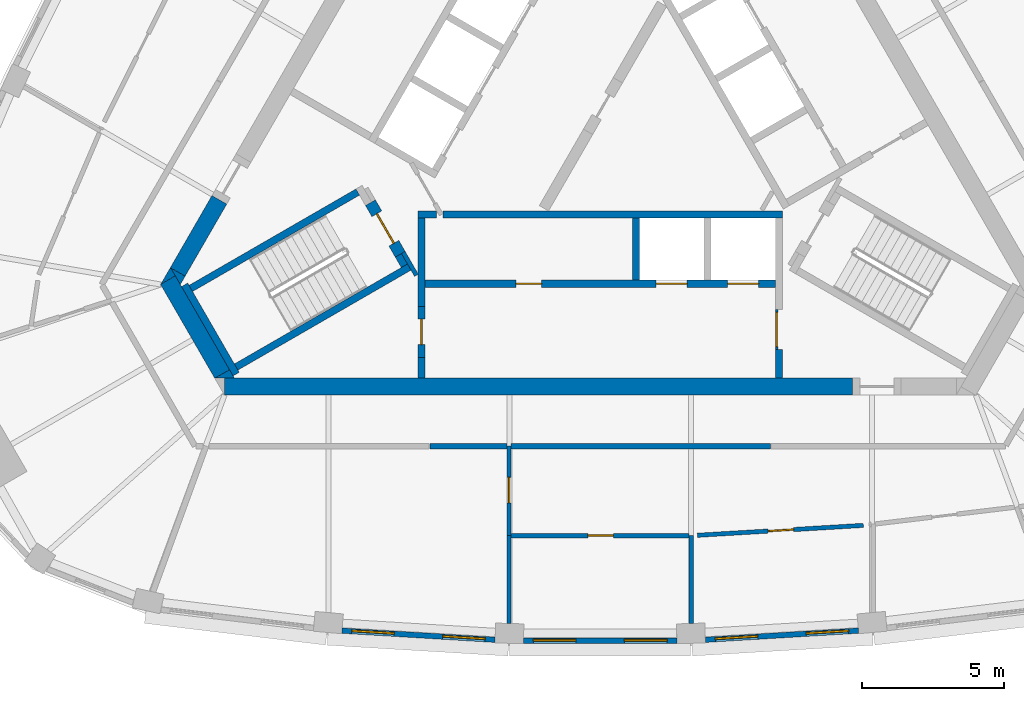
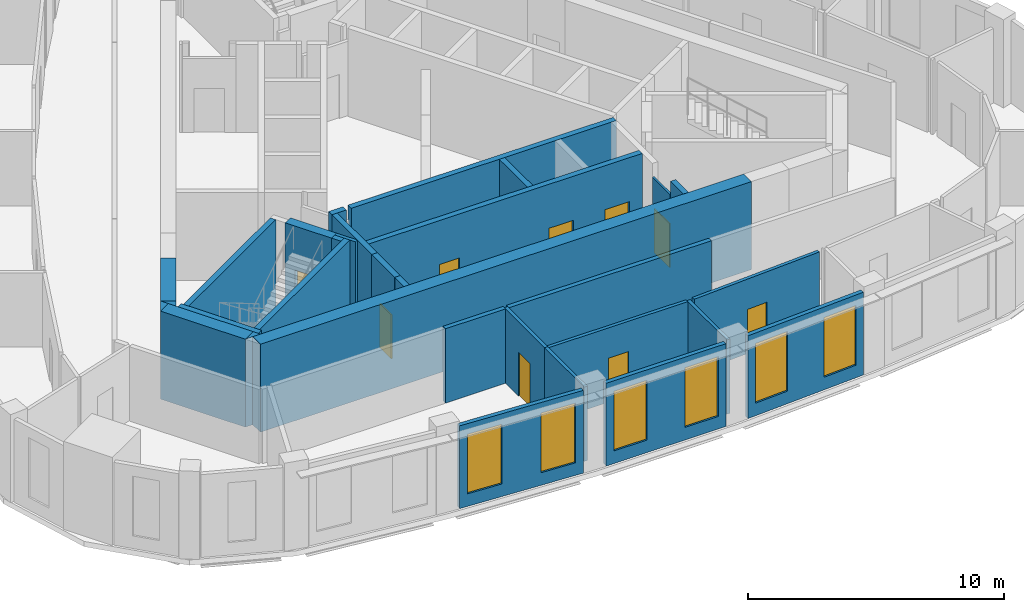
# One storey, part 3 of 10: 31 walls, 9 doors, 6 windows, 15 openings.
"""IFC4 building model written with IfcOpenShell, lengths in metres."""

from ifc_helpers import new_model, si_unit, direction, frame, frame_2d, origin, place, context, subcontext, project, spatial, polyline, rectangle, outline, extrude, material, layer, layer_set, type_object, element, fill, save


model = new_model("IFC4")

# Units and contexts
model_context = context("Model", 3, precision=1e-05, world=origin(), true_north=direction((0.0, 1.0)))
body_context = subcontext(model_context, "Body", "Model", "MODEL_VIEW")
ifc_project = project(units=[si_unit("LENGTHUNIT", "METRE"), si_unit("AREAUNIT", "SQUARE_METRE"), si_unit("VOLUMEUNIT", "CUBIC_METRE"), si_unit("PLANEANGLEUNIT", "RADIAN"), si_unit("MASSUNIT", "GRAM", prefix="KILO")], contexts=[model_context])

# Site, building, storey
site_placement = place(None, origin())
site = spatial("IfcSite", under=ifc_project, at=site_placement, CompositionType="ELEMENT")
building_placement = place(site_placement, origin())
building = spatial("IfcBuilding", under=site, at=building_placement, Name="Mestral Congress Tower", CompositionType="ELEMENT")
storey_placement = place(building_placement, frame((0.0, 0.0, 267.0)))
storey = spatial("IfcBuildingStorey", under=building, at=storey_placement, Name="L62", CompositionType="ELEMENT", Elevation=267.0)

# Wall, opening, door
ifc_material_1 = material(Name="Fire-rated board partition")
ifc_layer_1 = layer(ifc_material_1, 0.090087890625)
ifc_layer_set_1 = layer_set([ifc_layer_1], Name="Fire-rated board partition")
wall_type_1 = type_object("IfcWallType", Name="Core partition 150 door-wall 90", PredefinedType="PARTITIONING", material=ifc_layer_set_1)
wall_1_placement = place(storey_placement, frame((6.219970703125, -7.23681640625, 0.0), z_axis=(0.0, 0.0, 1.0), x_axis=(0.0, -1.0, 0.0)))
wall_1 = element("IfcWall", 1, at=wall_1_placement, inside=storey, type_object=wall_type_1, Name="L62 door wall", PredefinedType="PARTITIONING", context=body_context, shape_type="SweptSolid", body=[
    extrude(rectangle(XDim=1.400146484375, YDim=0.090087890625, at=frame_2d((0.7001953125, 0.0))), origin(), (0.0, 0.0, 1.0), 3.550048828125),
])
opening_1_placement = place(wall_1_placement, frame((0.10009765625, 0.0, 0.0)))
opening_1 = element("IfcOpeningElement", 2, at=opening_1_placement, cuts=wall_1, Name="Opening LB0-WL1", PredefinedType="OPENING", context=body_context, shape_type="SweptSolid", body=[
    extrude(rectangle(XDim=1.199951171875, YDim=2.10009765625, at=frame_2d((0.60009765625, 1.050048828125))), frame((0.0, 0.054931640625, 0.0), z_axis=(0.0, -1.0, 0.0), x_axis=(1.0, 0.0, 0.0)), (0.0, 0.0, 1.0), 0.110107421875),
])
ifc_material_2 = material(Name="Fire-rated steel door set", Category="steel")
door_type_1 = type_object("IfcDoorType", Name="Core door LB 1200x2100", OperationType="SINGLE_SWING_LEFT", PredefinedType="DOOR", material=ifc_material_2)
door_1_placement = place(opening_1_placement, origin())
door_1 = element("IfcDoor", 3, at=door_1_placement, inside=storey, type_object=door_type_1, Name="Door LB0-WL1", OperationType="SINGLE_SWING_LEFT", OverallHeight=2.10009765625, OverallWidth=1.199951171875, PredefinedType="DOOR", context=body_context, shape_type="SweptSolid", body=[
    extrude(rectangle(XDim=1.199951171875, YDim=2.10009765625, at=frame_2d((0.60009765625, 1.050048828125))), frame((0.0, 0.02490234375, 0.0), z_axis=(0.0, -1.0, 0.0), x_axis=(1.0, 0.0, 0.0)), (0.0, 0.0, 1.0), 0.050048828125),
])
fill(opening_1, door_1)

# Walls
ifc_material_3 = material(Name="Concrete C60/75", Category="concrete")
ifc_layer_2 = layer(ifc_material_3, 0.60009765625)
ifc_layer_set_2 = layer_set([ifc_layer_2], Name="Concrete C60/75")
wall_type_2 = type_object("IfcWallType", Name="Core wall RC 600", PredefinedType="SOLIDWALL", material=ifc_layer_set_2)
wall_2_placement = place(storey_placement, frame((8.904296875, -9.949951171875, 0.0), z_axis=(0.0, 0.0, 1.0), x_axis=(-1.0, 0.0, 0.0)))
element("IfcWall", 4, at=wall_2_placement, inside=storey, type_object=wall_type_2, Name="L62 core wall", PredefinedType="SOLIDWALL", context=body_context, shape_type="SweptSolid", body=[
    extrude(rectangle(XDim=22.160888671875, YDim=0.60009765625, at=frame_2d((11.08056640625, 0.0))), origin(), (0.0, 0.0, 1.0), 4.199951171875),
])
wall_3_placement = place(storey_placement, frame((-13.33349609375, -9.505615234375, 0.0), z_axis=(0.0, 0.0, 1.0), x_axis=(-0.500019073792, 0.866014391245, 0.0)))
element("IfcWall", 5, at=wall_3_placement, inside=storey, type_object=wall_type_2, Name="L62 core wall", PredefinedType="SOLIDWALL", context=body_context, shape_type="SweptSolid", body=[
    extrude(rectangle(XDim=3.823486328125, YDim=0.60009765625, at=frame_2d((1.91162109375, 0.0))), origin(), (0.0, 0.0, 1.0), 4.199951171875),
])
placement = place(storey_placement, origin())
element("IfcWall", 6, at=placement, inside=storey, type_object=wall_type_2, Name="L62 core wall", PredefinedType="SOLIDWALL", context=body_context, shape_type="SweptSolid", body=[
    extrude(outline(polyline([(-14.986572265625, -6.042724609375), (-15.493408203125, -6.33544921875), (-15.155517578125, -5.75), (-14.986572265625, -6.042724609375)])), origin(), (0.0, 0.0, 1.0), 4.199951171875),
])
element("IfcWall", 7, at=placement, inside=storey, type_object=wall_type_2, Name="L62 core wall", PredefinedType="SOLIDWALL", context=body_context, shape_type="SweptSolid", body=[
    extrude(outline(polyline([(-12.90380859375, -9.64990234375), (-13.579833984375, -9.64990234375), (-13.07275390625, -9.357421875), (-12.90380859375, -9.64990234375)])), origin(), (0.0, 0.0, 1.0), 4.199951171875),
])
wall_6_placement = place(storey_placement, frame((-13.431640625, -3.3642578125, 0.0), z_axis=(0.0, 0.0, 1.0), x_axis=(-0.499960127962, -0.866048422692, 0.0)))
element("IfcWall", 8, at=wall_6_placement, inside=storey, type_object=wall_type_2, Name="L62 core wall", PredefinedType="SOLIDWALL", context=body_context, shape_type="SweptSolid", body=[
    extrude(rectangle(XDim=2.934326171875, YDim=0.60009765625, at=frame_2d((1.46728515625, 0.0))), origin(), (0.0, 0.0, 1.0), 4.199951171875),
])
element("IfcWall", 9, at=placement, inside=storey, type_object=wall_type_2, Name="L62 core wall", PredefinedType="SOLIDWALL", context=body_context, shape_type="SweptSolid", body=[
    extrude(outline(polyline([(-14.80908203125, -6.35009765625), (-15.147216796875, -5.764404296875), (-14.639892578125, -6.057373046875), (-14.80908203125, -6.35009765625)])), origin(), (0.0, 0.0, 1.0), 4.199951171875),
])

# Wall, openings, windows
ifc_material_4 = material(Name="Precast concrete C40/50 with limestone facing", Category="masonry")
ifc_layer_3 = layer(ifc_material_4, 0.18994140625)
ifc_layer_set_3 = layer_set([ifc_layer_3], Name="Precast concrete C40/50 with limestone facing")
wall_type_3 = type_object("IfcWallType", Name="Facade stone wall 190", PredefinedType="SOLIDWALL", material=ifc_layer_set_3)
wall_8_placement = place(storey_placement, frame((-9.106689453125, -18.557861328125, 0.0), z_axis=(0.0, 0.0, 1.0), x_axis=(0.998221492823, -0.059614186786, 0.0)))
wall_8 = element("IfcWall", 10, at=wall_8_placement, inside=storey, type_object=wall_type_3, Name="Facade wall F0-01", PredefinedType="SOLIDWALL", context=body_context, shape_type="SweptSolid", body=[
    extrude(rectangle(XDim=5.40576171875, YDim=0.18994140625, at=frame_2d((2.702880859375, 0.0))), origin(), (0.0, 0.0, 1.0), 3.949951171875),
])
opening_2_placement = place(wall_8_placement, frame((0.346435546875, 0.0, 0.60009765625)))
opening_2 = element("IfcOpeningElement", 11, at=opening_2_placement, cuts=wall_8, Name="Opening W6", PredefinedType="OPENING", context=body_context, shape_type="SweptSolid", body=[
    extrude(rectangle(XDim=1.5, YDim=2.85009765625, at=frame_2d((0.75, 1.425048828125))), frame((0.0, 0.10498046875, 0.0), z_axis=(0.0, -1.0, 0.0), x_axis=(1.0, 0.0, 0.0)), (0.0, 0.0, 1.0), 0.2099609375),
])
opening_3_placement = place(wall_8_placement, frame((3.559326171875, 0.0, 0.60009765625)))
opening_3 = element("IfcOpeningElement", 12, at=opening_3_placement, cuts=wall_8, Name="Opening W6", PredefinedType="OPENING", context=body_context, shape_type="SweptSolid", body=[
    extrude(rectangle(XDim=1.5, YDim=2.85009765625, at=frame_2d((0.75, 1.425048828125))), frame((0.0, 0.10498046875, 0.0), z_axis=(0.0, -1.0, 0.0), x_axis=(1.0, 0.0, 0.0)), (0.0, 0.0, 1.0), 0.2099609375),
])
ifc_material_5 = material(Name="Clear low-emissivity double glazing", Category="glass")
window_type = type_object("IfcWindowType", Name="Facade punched window 1500 x 2850 sill 600", PartitioningType="SINGLE_PANEL", PredefinedType="WINDOW", material=ifc_material_5)
window_1_placement = place(opening_2_placement, origin())
window_1 = element("IfcWindow", 13, at=window_1_placement, inside=storey, type_object=window_type, Name="Window F0-01a", OverallHeight=2.85009765625, OverallWidth=1.5, PartitioningType="SINGLE_PANEL", PredefinedType="WINDOW", context=body_context, shape_type="SweptSolid", body=[
    extrude(rectangle(XDim=1.5, YDim=2.85009765625, at=frame_2d((0.75, 1.425048828125))), frame((0.0, 0.044921875, 0.0), z_axis=(0.0, -1.0, 0.0), x_axis=(1.0, 0.0, 0.0)), (0.0, 0.0, 1.0), 0.06005859375),
])
fill(opening_2, window_1)
window_2_placement = place(opening_3_placement, origin())
window_2 = element("IfcWindow", 14, at=window_2_placement, inside=storey, type_object=window_type, Name="Window F0-01b", OverallHeight=2.85009765625, OverallWidth=1.5, PartitioningType="SINGLE_PANEL", PredefinedType="WINDOW", context=body_context, shape_type="SweptSolid", body=[
    extrude(rectangle(XDim=1.5, YDim=2.85009765625, at=frame_2d((0.75, 1.425048828125))), frame((0.0, 0.044921875, 0.0), z_axis=(0.0, -1.0, 0.0), x_axis=(1.0, 0.0, 0.0)), (0.0, 0.0, 1.0), 0.06005859375),
])
fill(opening_3, window_2)

wall_9_placement = place(storey_placement, frame((-2.702880859375, -18.91015625, 0.0), z_axis=(0.0, 0.0, 1.0), x_axis=(1.0, 0.0, 0.0)))
wall_9 = element("IfcWall", 15, at=wall_9_placement, inside=storey, type_object=wall_type_3, Name="Facade wall F0-02", PredefinedType="SOLIDWALL", context=body_context, shape_type="SweptSolid", body=[
    extrude(rectangle(XDim=5.40576171875, YDim=0.18994140625, at=frame_2d((2.702880859375, 0.0))), origin(), (0.0, 0.0, 1.0), 3.949951171875),
])
opening_4_placement = place(wall_9_placement, frame((0.346435546875, 0.0, 0.60009765625)))
opening_4 = element("IfcOpeningElement", 16, at=opening_4_placement, cuts=wall_9, Name="Opening W6", PredefinedType="OPENING", context=body_context, shape_type="SweptSolid", body=[
    extrude(rectangle(XDim=1.5, YDim=2.85009765625, at=frame_2d((0.75, 1.425048828125))), frame((0.0, 0.10498046875, 0.0), z_axis=(0.0, -1.0, 0.0), x_axis=(1.0, 0.0, 0.0)), (0.0, 0.0, 1.0), 0.2099609375),
])
opening_5_placement = place(wall_9_placement, frame((3.5595703125, 0.0, 0.60009765625)))
opening_5 = element("IfcOpeningElement", 17, at=opening_5_placement, cuts=wall_9, Name="Opening W6", PredefinedType="OPENING", context=body_context, shape_type="SweptSolid", body=[
    extrude(rectangle(XDim=1.5, YDim=2.85009765625, at=frame_2d((0.75, 1.425048828125))), frame((0.0, 0.10498046875, 0.0), z_axis=(0.0, -1.0, 0.0), x_axis=(1.0, 0.0, 0.0)), (0.0, 0.0, 1.0), 0.2099609375),
])
window_3_placement = place(opening_4_placement, origin())
window_3 = element("IfcWindow", 18, at=window_3_placement, inside=storey, type_object=window_type, Name="Window F0-02a", OverallHeight=2.85009765625, OverallWidth=1.5, PartitioningType="SINGLE_PANEL", PredefinedType="WINDOW", context=body_context, shape_type="SweptSolid", body=[
    extrude(rectangle(XDim=1.5, YDim=2.85009765625, at=frame_2d((0.75, 1.425048828125))), frame((0.0, 0.044921875, 0.0), z_axis=(0.0, -1.0, 0.0), x_axis=(1.0, 0.0, 0.0)), (0.0, 0.0, 1.0), 0.06005859375),
])
fill(opening_4, window_3)
window_4_placement = place(opening_5_placement, origin())
window_4 = element("IfcWindow", 19, at=window_4_placement, inside=storey, type_object=window_type, Name="Window F0-02b", OverallHeight=2.85009765625, OverallWidth=1.5, PartitioningType="SINGLE_PANEL", PredefinedType="WINDOW", context=body_context, shape_type="SweptSolid", body=[
    extrude(rectangle(XDim=1.5, YDim=2.85009765625, at=frame_2d((0.75, 1.425048828125))), frame((0.0, 0.044921875, 0.0), z_axis=(0.0, -1.0, 0.0), x_axis=(1.0, 0.0, 0.0)), (0.0, 0.0, 1.0), 0.06005859375),
])
fill(opening_5, window_4)

wall_10_placement = place(storey_placement, frame((3.71044921875, -18.880126953125, 0.0), z_axis=(0.0, 0.0, 1.0), x_axis=(0.998221492823, 0.059614186786, 0.0)))
wall_10 = element("IfcWall", 20, at=wall_10_placement, inside=storey, type_object=wall_type_3, Name="Facade wall F0-03", PredefinedType="SOLIDWALL", context=body_context, shape_type="SweptSolid", body=[
    extrude(rectangle(XDim=5.40576171875, YDim=0.18994140625, at=frame_2d((2.702880859375, 0.0))), origin(), (0.0, 0.0, 1.0), 3.949951171875),
])
opening_6_placement = place(wall_10_placement, frame((0.346435546875, 0.0, 0.60009765625)))
opening_6 = element("IfcOpeningElement", 21, at=opening_6_placement, cuts=wall_10, Name="Opening W6", PredefinedType="OPENING", context=body_context, shape_type="SweptSolid", body=[
    extrude(rectangle(XDim=1.5, YDim=2.85009765625, at=frame_2d((0.75, 1.425048828125))), frame((0.0, 0.10498046875, 0.0), z_axis=(0.0, -1.0, 0.0), x_axis=(1.0, 0.0, 0.0)), (0.0, 0.0, 1.0), 0.2099609375),
])
opening_7_placement = place(wall_10_placement, frame((3.559326171875, 0.0, 0.60009765625)))
opening_7 = element("IfcOpeningElement", 22, at=opening_7_placement, cuts=wall_10, Name="Opening W6", PredefinedType="OPENING", context=body_context, shape_type="SweptSolid", body=[
    extrude(rectangle(XDim=1.5, YDim=2.85009765625, at=frame_2d((0.75, 1.425048828125))), frame((0.0, 0.10498046875, 0.0), z_axis=(0.0, -1.0, 0.0), x_axis=(1.0, 0.0, 0.0)), (0.0, 0.0, 1.0), 0.2099609375),
])
window_5_placement = place(opening_6_placement, origin())
window_5 = element("IfcWindow", 23, at=window_5_placement, inside=storey, type_object=window_type, Name="Window F0-03a", OverallHeight=2.85009765625, OverallWidth=1.5, PartitioningType="SINGLE_PANEL", PredefinedType="WINDOW", context=body_context, shape_type="SweptSolid", body=[
    extrude(rectangle(XDim=1.5, YDim=2.85009765625, at=frame_2d((0.75, 1.425048828125))), frame((0.0, 0.044921875, 0.0), z_axis=(0.0, -1.0, 0.0), x_axis=(1.0, 0.0, 0.0)), (0.0, 0.0, 1.0), 0.06005859375),
])
fill(opening_6, window_5)
window_6_placement = place(opening_7_placement, origin())
window_6 = element("IfcWindow", 24, at=window_6_placement, inside=storey, type_object=window_type, Name="Window F0-03b", OverallHeight=2.85009765625, OverallWidth=1.5, PartitioningType="SINGLE_PANEL", PredefinedType="WINDOW", context=body_context, shape_type="SweptSolid", body=[
    extrude(rectangle(XDim=1.5, YDim=2.85009765625, at=frame_2d((0.75, 1.425048828125))), frame((0.0, 0.044921875, 0.0), z_axis=(0.0, -1.0, 0.0), x_axis=(1.0, 0.0, 0.0)), (0.0, 0.0, 1.0), 0.06005859375),
])
fill(opening_7, window_6)

# Wall
ifc_material_6 = material(Name="Plasterboard partition on steel studs", Category="steel")
ifc_layer_4 = layer(ifc_material_6, 0.14990234375)
ifc_layer_set_4 = layer_set([ifc_layer_4], Name="Plasterboard partition on steel studs")
wall_type_4 = type_object("IfcWallType", Name="Office partition 150", PredefinedType="PARTITIONING", material=ifc_layer_set_4)
wall_11_placement = place(storey_placement, frame((-3.212890625, -15.204345703125, 0.0), z_axis=(0.0, 0.0, 1.0), x_axis=(0.0, -1.0, 0.0)))
element("IfcWall", 25, at=wall_11_placement, inside=storey, type_object=wall_type_4, Name="Partition", PredefinedType="PARTITIONING", context=body_context, shape_type="SweptSolid", body=[
    extrude(rectangle(XDim=3.100341796875, YDim=0.14990234375, at=frame_2d((1.55029296875, 0.0))), origin(), (0.0, 0.0, 1.0), 3.550048828125),
])

# Wall, opening, door
wall_12_placement = place(storey_placement, frame((-3.212890625, -15.21240234375, 0.0), z_axis=(0.0, 0.0, 1.0), x_axis=(0.0, 1.0, 0.0)))
wall_12 = element("IfcWall", 26, at=wall_12_placement, inside=storey, type_object=wall_type_4, Name="Partition", PredefinedType="PARTITIONING", context=body_context, shape_type="SweptSolid", body=[
    extrude(rectangle(XDim=3.162353515625, YDim=0.14990234375, at=frame_2d((1.5810546875, 0.0))), origin(), (0.0, 0.0, 1.0), 3.550048828125),
])
opening_8_placement = place(wall_12_placement, frame((1.162353515625, 0.0, 0.0)))
opening_8 = element("IfcOpeningElement", 27, at=opening_8_placement, cuts=wall_12, Name="Opening O11-001", PredefinedType="OPENING", context=body_context, shape_type="SweptSolid", body=[
    extrude(rectangle(XDim=0.89990234375, YDim=2.10009765625, at=frame_2d((0.449951171875, 1.050048828125))), frame((0.0, 0.0849609375, 0.0), z_axis=(0.0, -1.0, 0.0), x_axis=(1.0, 0.0, 0.0)), (0.0, 0.0, 1.0), 0.169921875),
])
ifc_material_7 = material(Name="Timber door set", Category="wood")
door_type_2 = type_object("IfcDoorType", Name="Office door 900x2100", OperationType="SINGLE_SWING_LEFT", PredefinedType="DOOR", material=ifc_material_7)
door_2_placement = place(opening_8_placement, origin())
door_2 = element("IfcDoor", 28, at=door_2_placement, inside=storey, type_object=door_type_2, Name="Door O11-001", OperationType="SINGLE_SWING_RIGHT", OverallHeight=2.10009765625, OverallWidth=0.89990234375, PredefinedType="DOOR", context=body_context, shape_type="SweptSolid", body=[
    extrude(rectangle(XDim=0.89990234375, YDim=2.10009765625, at=frame_2d((0.449951171875, 1.050048828125))), frame((0.0, 0.02490234375, 0.0), z_axis=(0.0, -1.0, 0.0), x_axis=(1.0, 0.0, 0.0)), (0.0, 0.0, 1.0), 0.050048828125),
])
fill(opening_8, door_2)

# Wall
wall_13_placement = place(storey_placement, frame((3.212890625, -15.208251953125, 0.0), z_axis=(0.0, 0.0, 1.0), x_axis=(0.0, -1.0, 0.0)))
element("IfcWall", 29, at=wall_13_placement, inside=storey, type_object=wall_type_4, Name="Partition", PredefinedType="PARTITIONING", context=body_context, shape_type="SweptSolid", body=[
    extrude(rectangle(XDim=3.096435546875, YDim=0.14990234375, at=frame_2d((1.54833984375, 0.0))), origin(), (0.0, 0.0, 1.0), 3.550048828125),
])

# Wall, opening, door
wall_14_placement = place(storey_placement, frame((3.137939453125, -15.208251953125, 0.0), z_axis=(0.0, 0.0, 1.0), x_axis=(-1.0, 0.0, 0.0)))
wall_14 = element("IfcWall", 30, at=wall_14_placement, inside=storey, type_object=wall_type_4, Name="Partition", PredefinedType="PARTITIONING", context=body_context, shape_type="SweptSolid", body=[
    extrude(rectangle(XDim=6.27587890625, YDim=0.14990234375, at=frame_2d((3.137939453125, 0.0))), origin(), (0.0, 0.0, 1.0), 3.550048828125),
])
opening_9_placement = place(wall_14_placement, frame((2.676025390625, 0.0, 0.0)))
opening_9 = element("IfcOpeningElement", 31, at=opening_9_placement, cuts=wall_14, Name="Opening O11-002", PredefinedType="OPENING", context=body_context, shape_type="SweptSolid", body=[
    extrude(rectangle(XDim=0.89990234375, YDim=2.10009765625, at=frame_2d((0.449951171875, 1.050048828125))), frame((0.0, 0.0849609375, 0.0), z_axis=(0.0, -1.0, 0.0), x_axis=(1.0, 0.0, 0.0)), (0.0, 0.0, 1.0), 0.169921875),
])
door_3_placement = place(opening_9_placement, origin())
door_3 = element("IfcDoor", 32, at=door_3_placement, inside=storey, type_object=door_type_2, Name="Door O11-002", OperationType="SINGLE_SWING_LEFT", OverallHeight=2.10009765625, OverallWidth=0.89990234375, PredefinedType="DOOR", context=body_context, shape_type="SweptSolid", body=[
    extrude(rectangle(XDim=0.89990234375, YDim=2.10009765625, at=frame_2d((0.449951171875, 1.050048828125))), frame((0.0, 0.02490234375, 0.0), z_axis=(0.0, -1.0, 0.0), x_axis=(1.0, 0.0, 0.0)), (0.0, 0.0, 1.0), 0.050048828125),
])
fill(opening_9, door_3)

wall_15_placement = place(storey_placement, frame((9.279541015625, -14.845947265625, 0.0), z_axis=(0.0, 0.0, 1.0), x_axis=(-0.998220544688, -0.059630060904, 0.0)))
wall_15 = element("IfcWall", 33, at=wall_15_placement, inside=storey, type_object=wall_type_4, Name="Partition", PredefinedType="PARTITIONING", context=body_context, shape_type="SweptSolid", body=[
    extrude(rectangle(XDim=5.863037109375, YDim=0.14990234375, at=frame_2d((2.931640625, 0.0))), origin(), (0.0, 0.0, 1.0), 3.550048828125),
])
opening_10_placement = place(wall_15_placement, frame((2.463134765625, 0.0, 0.0)))
opening_10 = element("IfcOpeningElement", 34, at=opening_10_placement, cuts=wall_15, Name="Opening O11-003", PredefinedType="OPENING", context=body_context, shape_type="SweptSolid", body=[
    extrude(rectangle(XDim=0.89990234375, YDim=2.10009765625, at=frame_2d((0.449951171875, 1.050048828125))), frame((0.0, 0.0849609375, 0.0), z_axis=(0.0, -1.0, 0.0), x_axis=(1.0, 0.0, 0.0)), (0.0, 0.0, 1.0), 0.169921875),
])
door_4_placement = place(opening_10_placement, origin())
door_4 = element("IfcDoor", 35, at=door_4_placement, inside=storey, type_object=door_type_2, Name="Door O11-003", OperationType="SINGLE_SWING_LEFT", OverallHeight=2.10009765625, OverallWidth=0.89990234375, PredefinedType="DOOR", context=body_context, shape_type="SweptSolid", body=[
    extrude(rectangle(XDim=0.89990234375, YDim=2.10009765625, at=frame_2d((0.449951171875, 1.050048828125))), frame((0.0, 0.02490234375, 0.0), z_axis=(0.0, -1.0, 0.0), x_axis=(1.0, 0.0, 0.0)), (0.0, 0.0, 1.0), 0.050048828125),
])
fill(opening_10, door_4)

# Walls
ifc_material_8 = material(Name="Dense masonry wall, plastered", Category="masonry")
ifc_layer_5 = layer(ifc_material_8, 0.199951171875)
ifc_layer_set_5 = layer_set([ifc_layer_5], Name="Dense masonry wall, plastered")
wall_type_5 = type_object("IfcWallType", Name="Office tenancy wall 200", PredefinedType="PARTITIONING", material=ifc_layer_set_5)
wall_16_placement = place(storey_placement, frame((-6.0, -12.050048828125, 0.0), z_axis=(0.0, 0.0, 1.0), x_axis=(1.0, 0.0, 0.0)))
element("IfcWall", 36, at=wall_16_placement, inside=storey, type_object=wall_type_5, Name="Tenancy wall", PredefinedType="PARTITIONING", context=body_context, shape_type="SweptSolid", body=[
    extrude(rectangle(XDim=2.7119140625, YDim=0.199951171875, at=frame_2d((1.35595703125, 0.0))), origin(), (0.0, 0.0, 1.0), 3.550048828125),
])
wall_17_placement = place(storey_placement, frame((-3.137939453125, -12.050048828125, 0.0), z_axis=(0.0, 0.0, 1.0), x_axis=(1.0, 0.0, 0.0)))
element("IfcWall", 37, at=wall_17_placement, inside=storey, type_object=wall_type_5, Name="Tenancy wall", PredefinedType="PARTITIONING", context=body_context, shape_type="SweptSolid", body=[
    extrude(rectangle(XDim=9.137939453125, YDim=0.199951171875, at=frame_2d((4.56884765625, 0.0))), origin(), (0.0, 0.0, 1.0), 3.550048828125),
])
ifc_layer_6 = layer(ifc_material_3, 0.25)
ifc_layer_set_6 = layer_set([ifc_layer_6], Name="Concrete C60/75")
wall_type_6 = type_object("IfcWallType", Name="Shaft wall RC 250", PredefinedType="SOLIDWALL", material=ifc_layer_set_6)
wall_18_placement = place(storey_placement, frame((-5.544921875, -3.875, 0.0), z_axis=(0.0, 0.0, 1.0), x_axis=(1.0, 0.0, 0.0)))
element("IfcWall", 38, at=wall_18_placement, inside=storey, type_object=wall_type_6, Name="L62 core wall", PredefinedType="SOLIDWALL", context=body_context, shape_type="SweptSolid", body=[
    extrude(rectangle(XDim=11.969970703125, YDim=0.25, at=frame_2d((5.98486328125, 0.0))), origin(), (0.0, 0.0, 1.0), 4.199951171875),
])
wall_19_placement = place(storey_placement, frame((-6.425048828125, -3.875, 0.0), z_axis=(0.0, 0.0, 1.0), x_axis=(1.0, 0.0, 0.0)))
element("IfcWall", 39, at=wall_19_placement, inside=storey, type_object=wall_type_6, Name="L62 core wall", PredefinedType="SOLIDWALL", context=body_context, shape_type="SweptSolid", body=[
    extrude(rectangle(XDim=0.657958984375, YDim=0.25, at=frame_2d((0.3291015625, 0.0))), origin(), (0.0, 0.0, 1.0), 4.199951171875),
])
wall_20_placement = place(storey_placement, frame((6.300048828125, -9.64990234375, 0.0), z_axis=(0.0, 0.0, 1.0), x_axis=(0.0, 1.0, 0.0)))
element("IfcWall", 40, at=wall_20_placement, inside=storey, type_object=wall_type_6, Name="L62 core wall", PredefinedType="SOLIDWALL", context=body_context, shape_type="SweptSolid", body=[
    extrude(rectangle(XDim=1.0078125, YDim=0.25, at=frame_2d((0.50390625, 0.0))), origin(), (0.0, 0.0, 1.0), 4.199951171875),
])
wall_21_placement = place(storey_placement, frame((1.260009765625, -4.0, 0.0), z_axis=(0.0, 0.0, 1.0), x_axis=(0.0, -1.0, 0.0)))
element("IfcWall", 41, at=wall_21_placement, inside=storey, type_object=wall_type_6, Name="L62 core wall", PredefinedType="SOLIDWALL", context=body_context, shape_type="SweptSolid", body=[
    extrude(rectangle(XDim=2.199951171875, YDim=0.25, at=frame_2d((1.10009765625, 0.0))), origin(), (0.0, 0.0, 1.0), 4.199951171875),
])
wall_22_placement = place(storey_placement, frame((-6.300048828125, -7.12451171875, 0.0), z_axis=(0.0, 0.0, 1.0), x_axis=(0.0, 1.0, 0.0)))
element("IfcWall", 42, at=wall_22_placement, inside=storey, type_object=wall_type_6, Name="L62 core wall", PredefinedType="SOLIDWALL", context=body_context, shape_type="SweptSolid", body=[
    extrude(rectangle(XDim=3.12451171875, YDim=0.25, at=frame_2d((1.562255859375, 0.0))), origin(), (0.0, 0.0, 1.0), 4.199951171875),
])
wall_23_placement = place(storey_placement, frame((-6.300048828125, -8.9248046875, 0.0), z_axis=(0.0, 0.0, 1.0), x_axis=(0.0, -1.0, 0.0)))
element("IfcWall", 43, at=wall_23_placement, inside=storey, type_object=wall_type_6, Name="L62 core wall", PredefinedType="SOLIDWALL", context=body_context, shape_type="SweptSolid", body=[
    extrude(rectangle(XDim=0.72509765625, YDim=0.25, at=frame_2d((0.362548828125, 0.0))), origin(), (0.0, 0.0, 1.0), 4.199951171875),
])

# Wall, openings, doors
wall_24_placement = place(storey_placement, frame((-6.175048828125, -6.324951171875, 0.0), z_axis=(0.0, 0.0, 1.0), x_axis=(1.0, 0.0, 0.0)))
wall_24 = element("IfcWall", 44, at=wall_24_placement, inside=storey, type_object=wall_type_6, Name="L62 door wall", PredefinedType="SOLIDWALL", context=body_context, shape_type="SweptSolid", body=[
    extrude(rectangle(XDim=12.35009765625, YDim=0.25, at=frame_2d((6.175048828125, 0.0))), origin(), (0.0, 0.0, 1.0), 4.199951171875),
])
opening_11_placement = place(wall_24_placement, frame((3.205078125, 0.0, 0.0)))
opening_11 = element("IfcOpeningElement", 45, at=opening_11_placement, cuts=wall_24, Name="Opening SR-SOB1", PredefinedType="OPENING", context=body_context, shape_type="SweptSolid", body=[
    extrude(rectangle(XDim=0.89990234375, YDim=2.10009765625, at=frame_2d((0.449951171875, 1.050048828125))), frame((0.0, 0.135009765625, 0.0), z_axis=(0.0, -1.0, 0.0), x_axis=(1.0, 0.0, 0.0)), (0.0, 0.0, 1.0), 0.27001953125),
])
opening_12_placement = place(wall_24_placement, frame((8.14501953125, 0.0, 0.0)))
opening_12 = element("IfcOpeningElement", 46, at=opening_12_placement, cuts=wall_24, Name="Opening LD-SOB4", PredefinedType="OPENING", context=body_context, shape_type="SweptSolid", body=[
    extrude(rectangle(XDim=1.10009765625, YDim=2.10009765625, at=frame_2d((0.550048828125, 1.050048828125))), frame((0.0, 0.135009765625, 0.0), z_axis=(0.0, -1.0, 0.0), x_axis=(1.0, 0.0, 0.0)), (0.0, 0.0, 1.0), 0.27001953125),
])
opening_13_placement = place(wall_24_placement, frame((10.6650390625, 0.0, 0.0)))
opening_13 = element("IfcOpeningElement", 47, at=opening_13_placement, cuts=wall_24, Name="Opening LD-SOB5", PredefinedType="OPENING", context=body_context, shape_type="SweptSolid", body=[
    extrude(rectangle(XDim=1.10009765625, YDim=2.10009765625, at=frame_2d((0.550048828125, 1.050048828125))), frame((0.0, 0.135009765625, 0.0), z_axis=(0.0, -1.0, 0.0), x_axis=(1.0, 0.0, 0.0)), (0.0, 0.0, 1.0), 0.27001953125),
])
door_type_3 = type_object("IfcDoorType", Name="Core door LD 1100x2100", OperationType="DOUBLE_DOOR_SLIDING", PredefinedType="DOOR", material=ifc_material_2)
door_5_placement = place(opening_12_placement, origin())
door_5 = element("IfcDoor", 48, at=door_5_placement, inside=storey, type_object=door_type_3, Name="Door LD-SOB4", OperationType="DOUBLE_DOOR_SLIDING", OverallHeight=2.10009765625, OverallWidth=1.10009765625, PredefinedType="DOOR", context=body_context, shape_type="SweptSolid", body=[
    extrude(rectangle(XDim=1.10009765625, YDim=2.10009765625, at=frame_2d((0.550048828125, 1.050048828125))), frame((0.0, 0.02490234375, 0.0), z_axis=(0.0, -1.0, 0.0), x_axis=(1.0, 0.0, 0.0)), (0.0, 0.0, 1.0), 0.050048828125),
])
fill(opening_12, door_5)
door_6_placement = place(opening_13_placement, origin())
door_6 = element("IfcDoor", 49, at=door_6_placement, inside=storey, type_object=door_type_3, Name="Door LD-SOB5", OperationType="DOUBLE_DOOR_SLIDING", OverallHeight=2.10009765625, OverallWidth=1.10009765625, PredefinedType="DOOR", context=body_context, shape_type="SweptSolid", body=[
    extrude(rectangle(XDim=1.10009765625, YDim=2.10009765625, at=frame_2d((0.550048828125, 1.050048828125))), frame((0.0, 0.02490234375, 0.0), z_axis=(0.0, -1.0, 0.0), x_axis=(1.0, 0.0, 0.0)), (0.0, 0.0, 1.0), 0.050048828125),
])
fill(opening_13, door_6)
door_type_4 = type_object("IfcDoorType", Name="Core door SR 900x2100", OperationType="SINGLE_SWING_LEFT", PredefinedType="DOOR", material=ifc_material_2)
door_7_placement = place(opening_11_placement, origin())
door_7 = element("IfcDoor", 50, at=door_7_placement, inside=storey, type_object=door_type_4, Name="Door SR-SOB1", OperationType="SINGLE_SWING_LEFT", OverallHeight=2.10009765625, OverallWidth=0.89990234375, PredefinedType="DOOR", context=body_context, shape_type="SweptSolid", body=[
    extrude(rectangle(XDim=0.89990234375, YDim=2.10009765625, at=frame_2d((0.449951171875, 1.050048828125))), frame((0.0, 0.02490234375, 0.0), z_axis=(0.0, -1.0, 0.0), x_axis=(1.0, 0.0, 0.0)), (0.0, 0.0, 1.0), 0.050048828125),
])
fill(opening_11, door_7)

# Wall, opening, door
wall_25_placement = place(storey_placement, frame((-6.300048828125, -7.12451171875, 0.0), z_axis=(0.0, 0.0, 1.0), x_axis=(0.0, -1.0, 0.0)))
wall_25 = element("IfcWall", 51, at=wall_25_placement, inside=storey, type_object=wall_type_6, Name="L62 door wall", PredefinedType="SOLIDWALL", context=body_context, shape_type="SweptSolid", body=[
    extrude(rectangle(XDim=1.800048828125, YDim=0.25, at=frame_2d((0.89990234375, 0.0))), origin(), (0.0, 0.0, 1.0), 4.199951171875),
])
opening_14_placement = place(wall_25_placement, frame((0.449951171875, 0.0, 0.0)))
opening_14 = element("IfcOpeningElement", 52, at=opening_14_placement, cuts=wall_25, Name="Opening TD3", PredefinedType="OPENING", context=body_context, shape_type="SweptSolid", body=[
    extrude(rectangle(XDim=0.89990234375, YDim=2.10009765625, at=frame_2d((0.449951171875, 1.050048828125))), frame((0.0, 0.135009765625, 0.0), z_axis=(0.0, -1.0, 0.0), x_axis=(1.0, 0.0, 0.0)), (0.0, 0.0, 1.0), 0.27001953125),
])
door_8_placement = place(opening_14_placement, origin())
door_8 = element("IfcDoor", 53, at=door_8_placement, inside=storey, type_object=door_type_4, Name="Door TD3", OperationType="SINGLE_SWING_LEFT", OverallHeight=2.10009765625, OverallWidth=0.89990234375, PredefinedType="DOOR", context=body_context, shape_type="SweptSolid", body=[
    extrude(rectangle(XDim=0.89990234375, YDim=2.10009765625, at=frame_2d((0.449951171875, 1.050048828125))), frame((0.0, 0.02490234375, 0.0), z_axis=(0.0, -1.0, 0.0), x_axis=(1.0, 0.0, 0.0)), (0.0, 0.0, 1.0), 0.050048828125),
])
fill(opening_14, door_8)

# Walls
ifc_layer_7 = layer(ifc_material_3, 0.14990234375)
ifc_layer_set_7 = layer_set([ifc_layer_7], Name="Concrete C60/75")
wall_type_7 = type_object("IfcWallType", Name="Shaft wall RC 250 door-wall 150", PredefinedType="SOLIDWALL", material=ifc_layer_set_7)
wall_26_placement = place(storey_placement, frame((-6.48046875, -6.026611328125, 0.0), z_axis=(0.0, 0.0, 1.0), x_axis=(-0.499927229454, 0.866067413802, 0.0)))
element("IfcWall", 54, at=wall_26_placement, inside=storey, type_object=wall_type_7, Name="L62 core wall", PredefinedType="PARTITIONING", context=body_context, shape_type="SweptSolid", body=[
    extrude(rectangle(XDim=0.928955078125, YDim=0.14990234375, at=frame_2d((0.46435546875, 0.0))), origin(), (0.0, 0.0, 1.0), 4.199951171875),
])
ifc_layer_8 = layer(ifc_material_3, 0.25)
ifc_layer_set_8 = layer_set([ifc_layer_8], Name="Concrete C60/75")
wall_type_8 = type_object("IfcWallType", Name="Stair wall RC 250", PredefinedType="SOLIDWALL", material=ifc_layer_set_8)
wall_27_placement = place(storey_placement, frame((-12.839599609375, -9.510986328125, 0.0), z_axis=(0.0, 0.0, 1.0), x_axis=(-0.499997733992, 0.866026712061, 0.0)))
element("IfcWall", 55, at=wall_27_placement, inside=storey, type_object=wall_type_8, Name="L62 core wall", PredefinedType="SOLIDWALL", context=body_context, shape_type="SweptSolid", body=[
    extrude(rectangle(XDim=3.6337890625, YDim=0.25, at=frame_2d((1.81689453125, 0.0))), origin(), (0.0, 0.0, 1.0), 4.199951171875),
])
wall_28_placement = place(storey_placement, frame((-14.43994140625, -6.489501953125, 0.0), z_axis=(0.0, 0.0, 1.0), x_axis=(0.866022966069, 0.500004222222, 0.0)))
element("IfcWall", 56, at=wall_28_placement, inside=storey, type_object=wall_type_8, Name="L62 core wall", PredefinedType="SOLIDWALL", context=body_context, shape_type="SweptSolid", body=[
    extrude(rectangle(XDim=6.80029296875, YDim=0.25, at=frame_2d((3.400146484375, 0.0))), origin(), (0.0, 0.0, 1.0), 4.199951171875),
])
wall_29_placement = place(storey_placement, frame((-12.83984375, -9.2607421875, 0.0), z_axis=(0.0, 0.0, 1.0), x_axis=(0.866016039709, 0.500016218704, 0.0)))
element("IfcWall", 57, at=wall_29_placement, inside=storey, type_object=wall_type_8, Name="L62 core wall", PredefinedType="SOLIDWALL", context=body_context, shape_type="SweptSolid", body=[
    extrude(rectangle(XDim=7.050048828125, YDim=0.25, at=frame_2d((3.52490234375, 0.0))), origin(), (0.0, 0.0, 1.0), 4.199951171875),
])
wall_30_placement = place(storey_placement, frame((-6.905029296875, -5.68994140625, 0.0), z_axis=(0.0, 0.0, 1.0), x_axis=(-0.500402024738, 0.865793170242, 0.0)))
element("IfcWall", 58, at=wall_30_placement, inside=storey, type_object=wall_type_8, Name="L62 core wall", PredefinedType="SOLIDWALL", context=body_context, shape_type="SweptSolid", body=[
    extrude(rectangle(XDim=0.425048828125, YDim=0.25, at=frame_2d((0.21240234375, 0.0))), origin(), (0.0, 0.0, 1.0), 4.199951171875),
])

# Wall, opening, door
ifc_layer_9 = layer(ifc_material_3, 0.39990234375)
ifc_layer_set_9 = layer_set([ifc_layer_9], Name="Concrete C60/75")
wall_type_9 = type_object("IfcWallType", Name="Stair wall RC 250 door-wall 400", PredefinedType="SOLIDWALL", material=ifc_layer_set_9)
wall_31_placement = place(storey_placement, frame((-8.102783203125, -3.4658203125, 0.0), z_axis=(0.0, 0.0, 1.0), x_axis=(0.500078061341, -0.865980330357, 0.0)))
wall_31 = element("IfcWall", 59, at=wall_31_placement, inside=storey, type_object=wall_type_9, Name="L62 door wall", PredefinedType="SOLIDWALL", context=body_context, shape_type="SweptSolid", body=[
    extrude(rectangle(XDim=2.099853515625, YDim=0.39990234375, at=frame_2d((1.0498046875, 0.0))), origin(), (0.0, 0.0, 1.0), 4.199951171875),
])
opening_15_placement = place(wall_31_placement, frame((0.449951171875, 0.0, 0.0)))
opening_15 = element("IfcOpeningElement", 60, at=opening_15_placement, cuts=wall_31, Name="Opening ST-D3", PredefinedType="OPENING", context=body_context, shape_type="SweptSolid", body=[
    extrude(rectangle(XDim=1.199951171875, YDim=2.10009765625, at=frame_2d((0.60009765625, 1.050048828125))), frame((0.0, 0.2099609375, 0.0), z_axis=(0.0, -1.0, 0.0), x_axis=(1.0, 0.0, 0.0)), (0.0, 0.0, 1.0), 0.419921875),
])
door_type_5 = type_object("IfcDoorType", Name="Core door ST 1200x2100", OperationType="SINGLE_SWING_LEFT", PredefinedType="DOOR", material=ifc_material_2)
door_9_placement = place(opening_15_placement, origin())
door_9 = element("IfcDoor", 61, at=door_9_placement, inside=storey, type_object=door_type_5, Name="Door ST-D3", OperationType="SINGLE_SWING_LEFT", OverallHeight=2.10009765625, OverallWidth=1.199951171875, PredefinedType="DOOR", context=body_context, shape_type="SweptSolid", body=[
    extrude(rectangle(XDim=1.199951171875, YDim=2.10009765625, at=frame_2d((0.60009765625, 1.050048828125))), frame((0.0, 0.02490234375, 0.0), z_axis=(0.0, -1.0, 0.0), x_axis=(1.0, 0.0, 0.0)), (0.0, 0.0, 1.0), 0.050048828125),
])
fill(opening_15, door_9)

save(model, "model.ifc")
